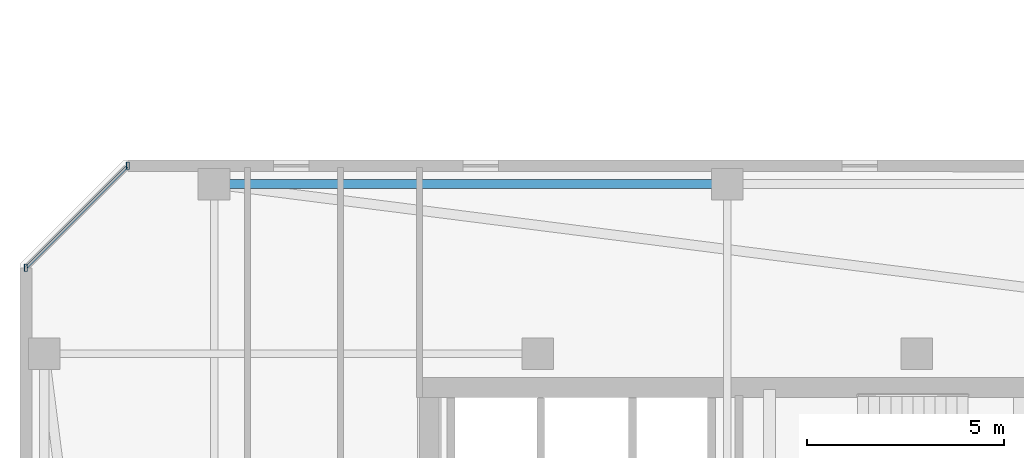
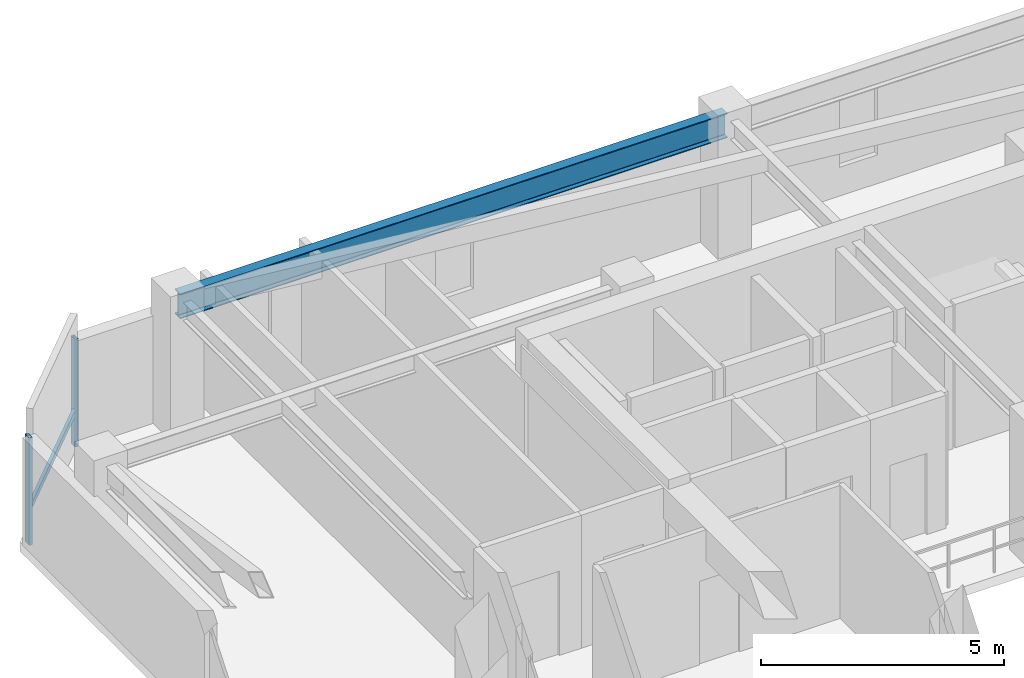
# One storey, part 10 of 35: 3 members, 1 beam, 1 element without a shape of its own.
"""IFC4 building model written with IfcOpenShell, lengths in metres."""

from ifc_helpers import new_model, si_unit, direction, frame, origin, origin_2d, place, context, subcontext, project, spatial, hollow_rectangle, i_section, extrude, material, material_profile, profile_set, type_object, element, aggregate, save


model = new_model("IFC4")

# Units and contexts
model_context = context("Model", 3, precision=1e-05, world=origin(), true_north=direction((0.0, 1.0)))
body_context = subcontext(model_context, "Body", "Model", "MODEL_VIEW")
ifc_project = project(units=[si_unit("LENGTHUNIT", "METRE"), si_unit("AREAUNIT", "SQUARE_METRE"), si_unit("VOLUMEUNIT", "CUBIC_METRE"), si_unit("PLANEANGLEUNIT", "RADIAN"), si_unit("MASSUNIT", "GRAM", prefix="KILO")], contexts=[model_context])

# Site, building, storey
site_placement = place(None, origin())
site = spatial("IfcSite", under=ifc_project, at=site_placement, CompositionType="ELEMENT")
building_placement = place(site_placement, origin())
building = spatial("IfcBuilding", under=site, at=building_placement, Name="Thornwick Lancets Civic Towers", CompositionType="ELEMENT")
storey_placement = place(building_placement, frame((0.0, 0.0, 272.699951171875)))
storey = spatial("IfcBuildingStorey", under=building, at=storey_placement, Name="L73", CompositionType="ELEMENT", Elevation=272.699951171875)

# Beam
ifc_material_1 = material(Name="Steel S355JR", Category="steel")
ifc_material_profile_1 = material_profile(ifc_material_1, i_section(OverallWidth=0.230224609375, OverallDepth=0.6171875, WebThickness=0.01318359375, FlangeThickness=0.022216796875, FilletRadius=0.0126953125, at=origin_2d()), Name="UKB 610x229x140")
ifc_profile_set_1 = profile_set([ifc_material_profile_1], Name="Steel S355JR")
beam_type = type_object("IfcBeamType", Name="BM_GIRD_610_140", PredefinedType="BEAM", material=ifc_profile_set_1)
beam_placement = place(storey_placement, frame((12.5, 44.300048828125, 3.051513671875), z_axis=(1.0, 0.0, 0.0), x_axis=(0.0, 1.0, 0.0)))
element("IfcBeam", 1, at=beam_placement, inside=storey, type_object=beam_type, Name="BM-SPINE-L73-A-6-7", PredefinedType="BEAM", context=body_context, shape_type="SweptSolid", body=[
    extrude(i_section(OverallWidth=0.230224609375, OverallDepth=0.6171875, WebThickness=0.01318359375, FlangeThickness=0.022216796875, FilletRadius=0.0126953125, at=origin_2d()), origin(), (0.0, 0.0, 1.0), 13.0),
])

# Curtain wall, members
ifc_material_2 = material(Name="High-zone chamfered-corner unitised glass curtain wall", Category="glass")
curtain_wall_type = type_object("IfcCurtainWallType", Name="CW_SYS_05", PredefinedType="NOTDEFINED", material=ifc_material_2)
curtain_wall_placement = place(storey_placement, origin())
curtain_wall = element("IfcCurtainWall", 2, at=curtain_wall_placement, inside=storey, type_object=curtain_wall_type, Name="L73 Curtain Wall CW-L73-A-E5", PredefinedType="NOTDEFINED")
ifc_material_3 = material(Name="Thermally broken bronze aluminium S355", Category="steel")
ifc_material_profile_2 = material_profile(ifc_material_3, hollow_rectangle(XDim=0.074951171875, YDim=0.179931640625, WallThickness=0.006103515625, at=origin_2d()), Name="RHS 180x75x6")
ifc_profile_set_2 = profile_set([ifc_material_profile_2], Name="Thermally broken bronze aluminium S355")
member_type_1 = type_object("IfcMemberType", Name="CW_MUL_180", PredefinedType="MULLION", material=ifc_profile_set_2)
member_1_placement = place(storey_placement, frame((10.318603515625, 44.7646484375, 0.0), z_axis=(0.0, 0.0, 1.0), x_axis=(1.0, 0.0, 0.0)))
member_1 = element("IfcMember", 3, at=member_1_placement, type_object=member_type_1, Name="CW-L73-A-E5 Mullion 0", PredefinedType="MULLION", context=body_context, shape_type="SweptSolid", body=[
    extrude(hollow_rectangle(XDim=0.074951171875, YDim=0.179931640625, WallThickness=0.006103515625, at=origin_2d()), origin(), (0.0, 0.0, 1.0), 2.699951171875),
])
member_2_placement = place(storey_placement, frame((7.7353515625, 42.181396484375, 0.0), z_axis=(0.0, 0.0, 1.0), x_axis=(1.0, 0.0, 0.0)))
member_2 = element("IfcMember", 4, at=member_2_placement, type_object=member_type_1, Name="CW-L73-A-E5 Mullion 1", PredefinedType="MULLION", context=body_context, shape_type="SweptSolid", body=[
    extrude(hollow_rectangle(XDim=0.074951171875, YDim=0.179931640625, WallThickness=0.006103515625, at=origin_2d()), origin(), (0.0, 0.0, 1.0), 2.699951171875),
])
ifc_material_profile_3 = material_profile(ifc_material_3, hollow_rectangle(XDim=0.074951171875, YDim=0.14990234375, WallThickness=0.0048828125, at=origin_2d()), Name="RHS 150x75x5")
ifc_profile_set_3 = profile_set([ifc_material_profile_3], Name="Thermally broken bronze aluminium S355")
member_type_2 = type_object("IfcMemberType", Name="CW_TRN_150", PredefinedType="USERDEFINED", material=ifc_profile_set_3)
member_3_placement = place(storey_placement, frame((10.304443359375, 44.75048828125, 0.85009765625), z_axis=(-0.707106781187, -0.707106781187, 0.0), x_axis=(0.707106781187, -0.707106781187, 0.0)))
member_3 = element("IfcMember", 5, at=member_3_placement, type_object=member_type_2, Name="CW-L73-A-E5 Transom 0", ObjectType="TRANSOM", PredefinedType="USERDEFINED", context=body_context, shape_type="SweptSolid", body=[
    extrude(hollow_rectangle(XDim=0.074951171875, YDim=0.14990234375, WallThickness=0.0048828125, at=origin_2d()), origin(), (0.0, 0.0, 1.0), 3.61328125),
])
aggregate(curtain_wall, [member_1, member_2, member_3])

save(model, "model.ifc")
